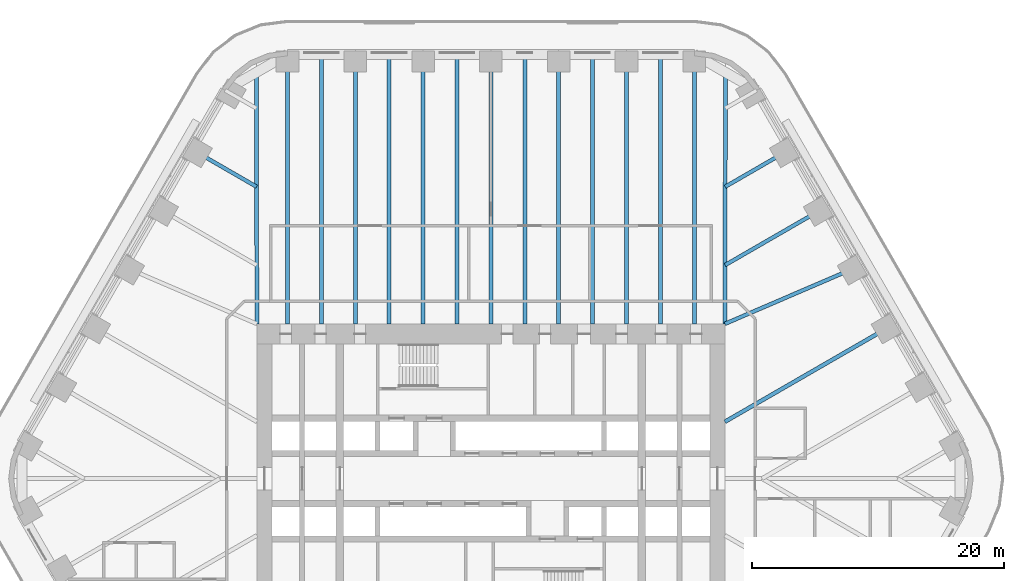
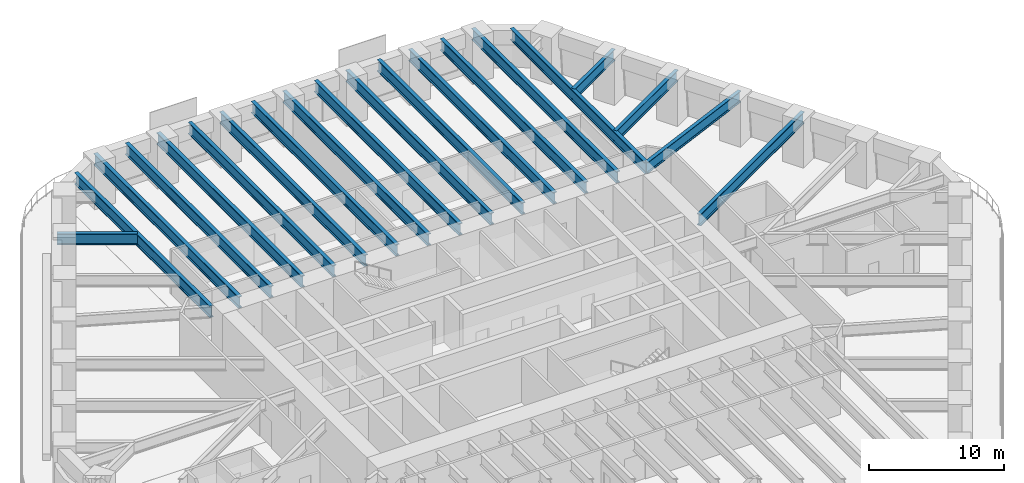
# One storey, part 10 of 23: 20 beams.
"""IFC4 building model written with IfcOpenShell, lengths in metres."""

from ifc_helpers import new_model, si_unit, direction, frame, origin, origin_2d, place, context, subcontext, project, spatial, i_section, extrude, material, material_profile, profile_set, type_object, element, save


model = new_model("IFC4")

# Units and contexts
model_context = context("Model", 3, precision=1e-05, world=origin(), true_north=direction((0.0, 1.0)))
body_context = subcontext(model_context, "Body", "Model", "MODEL_VIEW")
ifc_project = project(units=[si_unit("LENGTHUNIT", "METRE"), si_unit("AREAUNIT", "SQUARE_METRE"), si_unit("VOLUMEUNIT", "CUBIC_METRE"), si_unit("PLANEANGLEUNIT", "RADIAN"), si_unit("MASSUNIT", "GRAM", prefix="KILO")], contexts=[model_context])

# Site, building, storey
site_placement = place(None, origin())
site = spatial("IfcSite", under=ifc_project, at=site_placement, CompositionType="ELEMENT")
building_placement = place(site_placement, origin())
building = spatial("IfcBuilding", under=site, at=building_placement, Name="Tarfa Lantern Tower", CompositionType="ELEMENT")
storey_placement = place(building_placement, frame((0.0, 0.0, 99.10009765625)))
storey = spatial("IfcBuildingStorey", under=building, at=storey_placement, Name="L22", CompositionType="ELEMENT", Elevation=99.10009765625)

# Beams
ifc_material = material(Name="Steel S460M", Category="steel")
ifc_material_profile_1 = material_profile(ifc_material, i_section(OverallWidth=0.302001953125, OverallDepth=1.008056640625, WebThickness=0.02099609375, FlangeThickness=0.0400390625, FilletRadius=0.030029296875, at=origin_2d()), Name="UB1016x305x349")
ifc_profile_set_1 = profile_set([ifc_material_profile_1], Name="Steel S460M")
beam_type_1 = type_object("IfcBeamType", Name="UB1016x305x349", PredefinedType="BEAM", material=ifc_profile_set_1)
beam_1_placement = place(storey_placement, frame((29.202392578125, 16.860107421875, 3.495849609375), z_axis=(-0.918635483867, -0.395106122175, 0.0), x_axis=(0.395106122175, -0.918635483867, 0.0)))
element("IfcBeam", 1, at=beam_1_placement, inside=storey, type_object=beam_type_1, Name="Floor beam NE3", PredefinedType="BEAM", context=body_context, shape_type="SweptSolid", body=[
    extrude(i_section(OverallWidth=0.302001953125, OverallDepth=1.008056640625, WebThickness=0.02099609375, FlangeThickness=0.0400390625, FilletRadius=0.030029296875, at=origin_2d()), origin(), (0.0, 0.0, 1.0), 11.541259765625),
])
beam_2_placement = place(storey_placement, frame((26.508056640625, 21.526611328125, 3.495849609375), z_axis=(-0.866035355799, -0.49998276221, 0.0), x_axis=(0.49998276221, -0.866035355799, 0.0)))
element("IfcBeam", 2, at=beam_2_placement, inside=storey, type_object=beam_type_1, Name="Floor beam NE4", PredefinedType="BEAM", context=body_context, shape_type="SweptSolid", body=[
    extrude(i_section(OverallWidth=0.302001953125, OverallDepth=1.008056640625, WebThickness=0.02099609375, FlangeThickness=0.0400390625, FilletRadius=0.030029296875, at=origin_2d()), origin(), (0.0, 0.0, 1.0), 9.119873046875),
])
for number, where, z_axis, x_axis, name in (
    (3, (23.813720703125, 26.193359375, 3.495849609375), (-0.866015997389, -0.500016292001, 0.0), (0.500016292001, -0.866015997389, 0.0), "Floor beam NE5"),
    (4, (-23.813720703125, 26.193359375, 3.495849609375), (0.866015997389, -0.500016292001, 0.0), (0.500016292001, 0.866015997389, 0.0), "Floor beam NW1"),
):
    element("IfcBeam", number, at=place(storey_placement, frame(where, z_axis=z_axis, x_axis=x_axis)), inside=storey, type_object=beam_type_1, Name=name, PredefinedType="BEAM", context=body_context, shape_type="SweptSolid", body=[
        extrude(i_section(OverallWidth=0.302001953125, OverallDepth=1.008056640625, WebThickness=0.02099609375, FlangeThickness=0.0400390625, FilletRadius=0.030029296875, at=origin_2d()), origin(), (0.0, 0.0, 1.0), 5.993408203125),
    ])
ifc_material_profile_2 = material_profile(ifc_material, i_section(OverallWidth=0.314208984375, OverallDepth=1.055908203125, WebThickness=0.035888671875, FlangeThickness=0.06396484375, FilletRadius=0.030029296875, at=origin_2d()), Name="UB1016x305x584")
ifc_profile_set_2 = profile_set([ifc_material_profile_2], Name="Steel S460M")
beam_type_2 = type_object("IfcBeamType", Name="UB1016x305x584", PredefinedType="BEAM", material=ifc_profile_set_2)
for number, where, z_axis, x_axis, name in (
    (5, (18.60009765625, 12.300048828125, 3.471923828125), (0.00212508222, 0.99999774201, 0.0), (-0.99999774201, 0.00212508222, 0.0), "Hip girder NE"),
    (6, (-18.60009765625, 12.300048828125, 3.471923828125), (-0.00212508222, 0.99999774201, 0.0), (-0.99999774201, -0.00212508222, 0.0), "Hip girder NW"),
):
    element("IfcBeam", number, at=place(storey_placement, frame(where, z_axis=z_axis, x_axis=x_axis)), inside=storey, type_object=beam_type_2, Name=name, PredefinedType="BEAM", context=body_context, shape_type="SweptSolid", body=[
        extrude(i_section(OverallWidth=0.314208984375, OverallDepth=1.055908203125, WebThickness=0.035888671875, FlangeThickness=0.06396484375, FilletRadius=0.030029296875, at=origin_2d()), origin(), (0.0, 0.0, 1.0), 19.989990234375),
    ])
beam_3_placement = place(storey_placement, frame((31.896728515625, 12.193359375, 3.471923828125), z_axis=(-0.866026971665, -0.499997284341, 0.0), x_axis=(0.499997284341, -0.866026971665, 0.0)))
element("IfcBeam", 7, at=beam_3_placement, inside=storey, type_object=beam_type_2, Name="Floor beam NE2", PredefinedType="BEAM", context=body_context, shape_type="SweptSolid", body=[
    extrude(i_section(OverallWidth=0.314208984375, OverallDepth=1.055908203125, WebThickness=0.035888671875, FlangeThickness=0.06396484375, FilletRadius=0.030029296875, at=origin_2d()), origin(), (0.0, 0.0, 1.0), 15.353515625),
])
for number, where, z_axis, x_axis, name in (
    (8, (16.165771484375, 33.719970703125, 3.471923828125), (0.0, -1.0, 0.0), (1.0, 0.0, 0.0), "Floor beam N0"),
    (9, (10.777099609375, 33.719970703125, 3.471923828125), (0.0, -1.0, 0.0), (1.0, 0.0, 0.0), "Floor beam N1"),
    (10, (5.388671875, 33.719970703125, 3.471923828125), (0.0, -1.0, 0.0), (1.0, 0.0, 0.0), "Floor beam N2"),
    (11, (0.0, 33.719970703125, 3.471923828125), (0.0, -1.0, 0.0), (1.0, 0.0, 0.0), "Floor beam N3"),
    (12, (-5.388671875, 33.719970703125, 3.471923828125), (0.0, -1.0, 0.0), (1.0, 0.0, 0.0), "Floor beam N4"),
    (13, (-10.777099609375, 33.719970703125, 3.471923828125), (0.0, -1.0, 0.0), (1.0, 0.0, 0.0), "Floor beam N5"),
    (14, (-16.165771484375, 33.719970703125, 3.471923828125), (0.0, -1.0, 0.0), (1.0, 0.0, 0.0), "Floor beam N6"),
    (15, (13.471435546875, 33.719970703125, 3.471923828125), (0.0, -1.0, 0.0), (1.0, 0.0, 0.0), "Floor beam N0M"),
    (16, (8.0830078125, 33.719970703125, 3.471923828125), (0.0, -1.0, 0.0), (1.0, 0.0, 0.0), "Floor beam N1M"),
    (17, (2.6943359375, 33.719970703125, 3.471923828125), (0.0, -1.0, 0.0), (1.0, 0.0, 0.0), "Floor beam N2M"),
    (18, (-2.6943359375, 33.719970703125, 3.471923828125), (0.0, -1.0, 0.0), (1.0, 0.0, 0.0), "Floor beam N3M"),
    (19, (-8.0830078125, 33.719970703125, 3.471923828125), (0.0, -1.0, 0.0), (1.0, 0.0, 0.0), "Floor beam N4M"),
    (20, (-13.471435546875, 33.719970703125, 3.471923828125), (0.0, -1.0, 0.0), (1.0, 0.0, 0.0), "Floor beam N5M"),
):
    element("IfcBeam", number, at=place(storey_placement, frame(where, z_axis=z_axis, x_axis=x_axis)), inside=storey, type_object=beam_type_2, Name=name, PredefinedType="BEAM", context=body_context, shape_type="SweptSolid", body=[
        extrude(i_section(OverallWidth=0.314208984375, OverallDepth=1.055908203125, WebThickness=0.035888671875, FlangeThickness=0.06396484375, FilletRadius=0.030029296875, at=origin_2d()), origin(), (0.0, 0.0, 1.0), 21.419921875),
    ])

save(model, "model.ifc")
